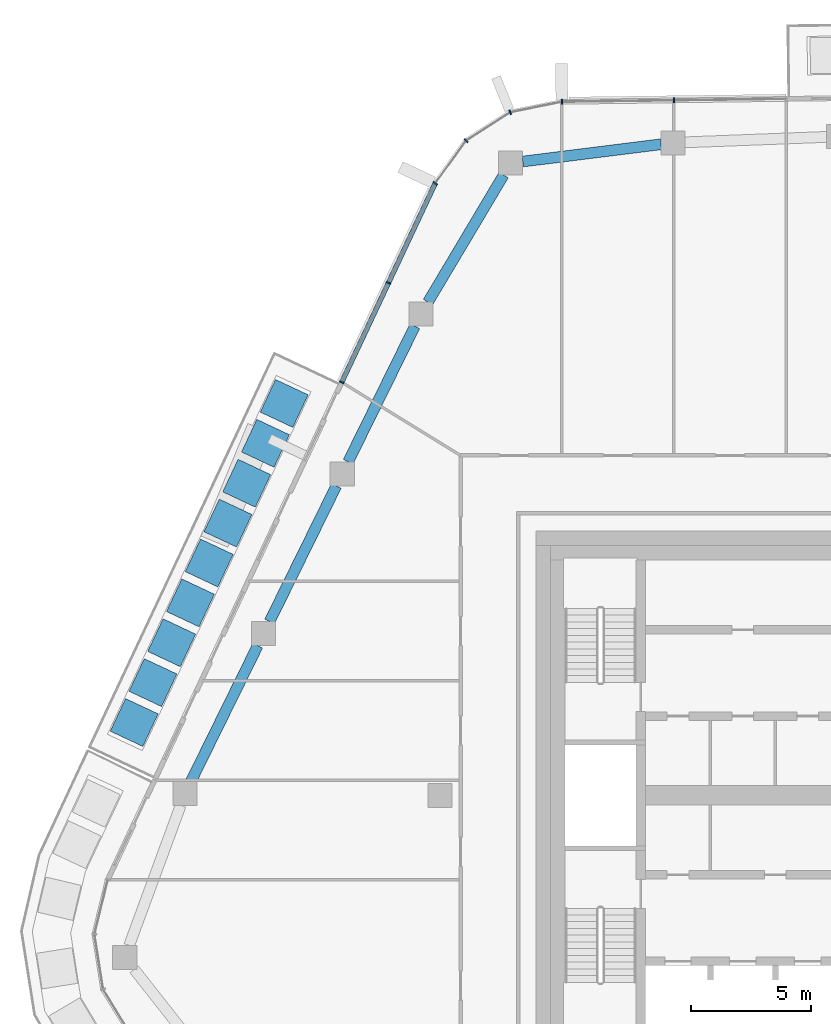
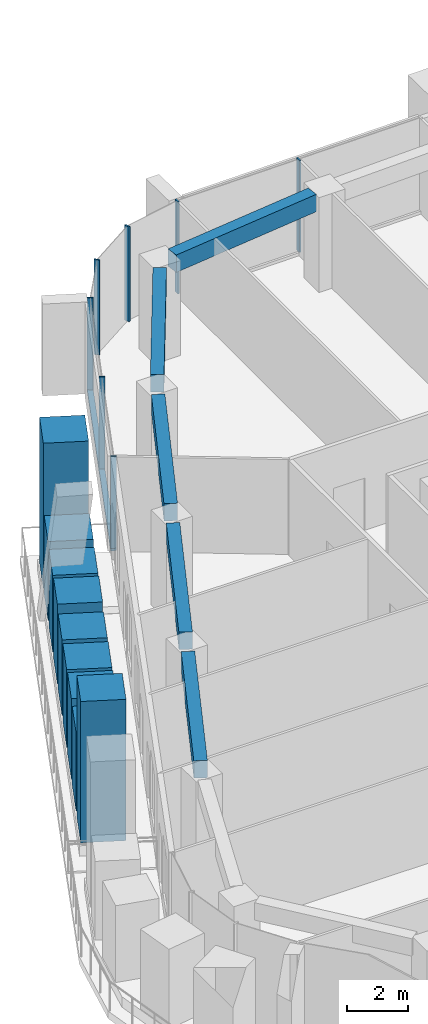
# One storey, part 6 of 23: 17 members, 5 beams, 3 elements without a shape of their own.
"""IFC4 building model written with IfcOpenShell, lengths in metres."""

import ifcopenshell
import ifcopenshell.guid

model = None  # the IFC model being written
_history = None  # IfcOwnerHistory: only IFC2X3 demands one
_inside = {}  # id of a spatial element -> (the spatial element, [elements in it])
_under = {}  # id of a project, library or spatial element -> (it, [spatial elements below it])
_declared = {}  # id of a project -> (the project, [libraries it declares])
_typed = {}  # id of a type object -> (the type object, [elements of that type])
_made_of = {}  # id of a material, layer set ... -> (it, [elements and type objects made of it])


def new_model(schema):
    """Start an empty IFC model of exactly this schema.

    Asked for "IFC4X3", IfcOpenShell would pick the latest addendum, in which some entities
    have other attributes; the version numbers below select the first issue.
    IFC2X3 requires an IfcOwnerHistory on every rooted entity: one is made here for all.
    """
    global model, _history
    if schema == "IFC4X3":
        model = ifcopenshell.file(schema_version=(4, 3, 0, 0))
    else:
        model = ifcopenshell.file(schema=schema)
    _inside.clear()
    _under.clear()
    _declared.clear()
    _typed.clear()
    _made_of.clear()
    _history = None
    if model.schema == "IFC2X3":
        org = make("IfcOrganization", Name="unknown")
        user = make(
            "IfcPersonAndOrganization",
            ThePerson=make("IfcPerson", FamilyName="unknown"),
            TheOrganization=org,
        )
        app = make(
            "IfcApplication",
            ApplicationDeveloper=org,
            Version="unknown",
            ApplicationFullName="unknown",
            ApplicationIdentifier="unknown",
        )
        _history = make(
            "IfcOwnerHistory",
            OwningUser=user,
            OwningApplication=app,
            ChangeAction="ADDED",
            CreationDate=0,
        )
    return model


def make(cls, **values):
    """One entity of the class cls with the attributes given. An attribute that is None is left unset."""
    return model.create_entity(
        cls, **{name: value for name, value in values.items() if value is not None}
    )


def rooted(cls, **values):
    """An entity with a GlobalId (a new one), such as an element, a storey or a relation."""
    return make(cls, GlobalId=ifcopenshell.guid.new(), OwnerHistory=_history, **values)


def si_unit(unit_type, name, prefix=None):
    """IfcSIUnit, for example si_unit("LENGTHUNIT", "METRE", prefix="MILLI")."""
    return make("IfcSIUnit", UnitType=unit_type, Prefix=prefix, Name=name)


def assignment(units):
    """IfcUnitAssignment: the units of a project."""
    return None if units is None else make("IfcUnitAssignment", Units=units)


def point(xyz):
    """IfcCartesianPoint."""
    return None if xyz is None else make("IfcCartesianPoint", Coordinates=xyz)


def direction(xyz):
    """IfcDirection."""
    return None if xyz is None else make("IfcDirection", DirectionRatios=xyz)


def frame(location, z_axis=None, x_axis=None):
    """IfcAxis2Placement3D, a coordinate frame: its origin and axes. An axis left out is left unset."""
    return make(
        "IfcAxis2Placement3D",
        Location=point(location),
        Axis=direction(z_axis),
        RefDirection=direction(x_axis),
    )


def frame_2d(location, x_axis=None):
    """IfcAxis2Placement2D, a coordinate frame in the plane: its origin and x axis."""
    return make(
        "IfcAxis2Placement2D", Location=point(location), RefDirection=direction(x_axis)
    )


def origin():
    """The frame at (0, 0, 0) with its axes left unset."""
    return frame((0.0, 0.0, 0.0))


def origin_2d():
    """The frame at (0, 0) in the plane with its x axis left unset."""
    return frame_2d((0.0, 0.0))


def place(relative_to, where):
    """IfcLocalPlacement: puts the frame where relative to a parent placement (None: the world)."""
    return make(
        "IfcLocalPlacement", PlacementRelTo=relative_to, RelativePlacement=where
    )


def context(
    kind, dimensions, precision=None, world=None, true_north=None, identifier=None
):
    """IfcGeometricRepresentationContext, for example the 3D "Model" context."""
    return make(
        "IfcGeometricRepresentationContext",
        ContextIdentifier=identifier,
        ContextType=kind,
        CoordinateSpaceDimension=dimensions,
        Precision=precision,
        WorldCoordinateSystem=world,
        TrueNorth=true_north,
    )


def subcontext(parent, identifier, kind, view, scale=None):
    """IfcGeometricRepresentationSubContext, for example "Body" below "Model"."""
    return make(
        "IfcGeometricRepresentationSubContext",
        ContextIdentifier=identifier,
        ContextType=kind,
        ParentContext=parent,
        TargetScale=scale,
        TargetView=view,
    )


def project(units=None, contexts=None):
    """IfcProject with its units and contexts."""
    return rooted(
        "IfcProject",
        Name="project",
        RepresentationContexts=contexts,
        UnitsInContext=assignment(units),
    )


def spatial(cls, under=None, at=None, **own):
    """A site, building, storey or space (cls), placed at a placement, below another one or the project."""
    s = rooted(cls, ObjectPlacement=at, **own)
    if under is not None:
        _under.setdefault(under.id(), (under, []))[1].append(s)
    return s


def profile(cls, at=None, kind="AREA", **sizes):
    """A parametric profile (cls). Its sizes go by their IFC names, for example OverallWidth=200.0."""
    return make(cls, ProfileType=kind, Position=at, **sizes)


def rectangle(**sizes):
    """IfcRectangleProfileDef."""
    return profile("IfcRectangleProfileDef", **sizes)


def extrude(swept, where, along, depth):
    """IfcExtrudedAreaSolid: the profile swept, set in the frame where, extruded along a direction by depth."""
    return make(
        "IfcExtrudedAreaSolid",
        SweptArea=swept,
        Position=where,
        ExtrudedDirection=direction(along),
        Depth=depth,
    )


def shape(context_of_items, identifier, shape_type, items):
    """IfcShapeRepresentation: the items that make up one representation, for example the "Body"."""
    return make(
        "IfcShapeRepresentation",
        ContextOfItems=context_of_items,
        RepresentationIdentifier=identifier,
        RepresentationType=shape_type,
        Items=items,
    )


def material(Name=None, Category=None):
    """IfcMaterial."""
    return make("IfcMaterial", Name=Name, Category=Category)


def layer(
    of_material, thickness, ventilated=None, Name=None, Category=None, Priority=None
):
    """IfcMaterialLayer: one layer of a wall or slab, of a material (None: an air gap)."""
    return make(
        "IfcMaterialLayer",
        Material=of_material,
        LayerThickness=thickness,
        IsVentilated=ventilated,
        Name=Name,
        Category=Category,
        Priority=Priority,
    )


def layer_set(layers, Name=None):
    """IfcMaterialLayerSet."""
    return make("IfcMaterialLayerSet", MaterialLayers=layers, LayerSetName=Name)


def material_profile(
    of_material, cross_section, Name=None, Category=None, Priority=None
):
    """IfcMaterialProfile: a cross section and its material."""
    return make(
        "IfcMaterialProfile",
        Name=Name,
        Material=of_material,
        Profile=cross_section,
        Priority=Priority,
        Category=Category,
    )


def profile_set(profiles, Name=None, composite=None):
    """IfcMaterialProfileSet."""
    return make(
        "IfcMaterialProfileSet",
        Name=Name,
        MaterialProfiles=profiles,
        CompositeProfile=composite,
    )


def made_of(thing, what):
    """Note that an element or type object is made of a material, layer set ...; save() writes the relation."""
    if what is not None:
        _made_of.setdefault(what.id(), (what, []))[1].append(thing)
    return thing


def type_object(cls, material=None, **own):
    """A type object (cls), such as IfcWallType, which elements share."""
    return made_of(rooted(cls, **own), material)


def element(
    cls,
    number,
    at=None,
    inside=None,
    cuts=None,
    type_object=None,
    material=None,
    context=None,
    identifier="Body",
    shape_type=None,
    held_by="IfcProductDefinitionShape",
    body=None,
    shapes=None,
    **own,
):
    """One element of the class cls, such as IfcWall. Its Tag is "e" and its number.

    at: its placement. inside: the storey or other place that contains it. cuts: it is an
    opening in that element (IfcRelVoidsElement). A single representation is given by context,
    identifier, shape_type and body (its items); several are given by shapes. held_by: the class
    of the entity that holds the representations. save() writes the other relations.
    """
    e = rooted(cls, Tag="e%d" % number, ObjectPlacement=at, **own)
    if body is not None:
        shapes = [shape(context, identifier, shape_type, body)]
    if shapes is not None:
        e.Representation = make(held_by, Representations=shapes)
    if inside is not None:
        _inside.setdefault(inside.id(), (inside, []))[1].append(e)
    if cuts is not None:
        rooted(
            "IfcRelVoidsElement", RelatingBuildingElement=cuts, RelatedOpeningElement=e
        )
    if type_object is not None:
        _typed.setdefault(type_object.id(), (type_object, []))[1].append(e)
    return made_of(e, material)


def aggregate(whole, parts):
    """IfcRelAggregates: a whole, such as a stair, and the parts it consists of."""
    return rooted("IfcRelAggregates", RelatingObject=whole, RelatedObjects=parts)


def save(model, path):
    """Write the relations noted so far, then the file.

    IfcRelAggregates (storeys below a building ...), IfcRelContainedInSpatialStructure (elements
    in a storey), IfcRelDefinesByType, IfcRelAssociatesMaterial and IfcRelDeclares: one each for
    every whole, place, type object, material and project.
    """
    for whole, parts in _under.values():
        aggregate(whole, parts)
    for where, things in _inside.values():
        rooted(
            "IfcRelContainedInSpatialStructure",
            RelatedElements=things,
            RelatingStructure=where,
        )
    for kind, things in _typed.values():
        rooted("IfcRelDefinesByType", RelatedObjects=things, RelatingType=kind)
    for what, things in _made_of.values():
        rooted("IfcRelAssociatesMaterial", RelatedObjects=things, RelatingMaterial=what)
    for by, libraries in _declared.values():
        rooted("IfcRelDeclares", RelatingContext=by, RelatedDefinitions=libraries)
    model.write(path)


model = new_model("IFC4")

# Units and contexts
model_context = context("Model", 3, precision=1e-05, world=origin(), true_north=direction((0.0, 1.0)))
body_context = subcontext(model_context, "Body", "Model", "MODEL_VIEW")
ifc_project = project(units=[si_unit("LENGTHUNIT", "METRE"), si_unit("AREAUNIT", "SQUARE_METRE"), si_unit("VOLUMEUNIT", "CUBIC_METRE"), si_unit("PLANEANGLEUNIT", "RADIAN"), si_unit("MASSUNIT", "GRAM", prefix="KILO")], contexts=[model_context])

# Site, building, storey
site_placement = place(None, origin())
site = spatial("IfcSite", under=ifc_project, at=site_placement, CompositionType="ELEMENT")
building_placement = place(site_placement, origin())
building = spatial("IfcBuilding", under=site, at=building_placement, Name="Dongbaek Canopy Tower", CompositionType="ELEMENT")
storey_placement = place(building_placement, frame((0.0, 0.0, 340.39990234375)))
storey = spatial("IfcBuildingStorey", under=building, at=storey_placement, Name="L73", CompositionType="ELEMENT", Elevation=340.39990234375)

# Curtain wall, members
ifc_material_1 = material(Name="Aluminium 6063-T6 pale anodised", Category="aluminium")
ifc_layer = layer(ifc_material_1, 0.199951171875)
ifc_layer_set = layer_set([ifc_layer], Name="CW-1 unitised tower curtain wall")
curtain_wall_type = type_object("IfcCurtainWallType", Name="CW-1 unitised tower curtain wall", PredefinedType="NOTDEFINED", material=ifc_layer_set)
curtain_wall_1_placement = place(storey_placement, origin())
curtain_wall_1 = element("IfcCurtainWall", 1, at=curtain_wall_1_placement, inside=storey, type_object=curtain_wall_type, Name="CW-1 curtain wall F1.1", PredefinedType="NOTDEFINED")
ifc_material_2 = material(Name="Aluminium 6063-T6 pale anodised", Category="aluminium")
ifc_material_profile_1 = material_profile(ifc_material_2, rectangle(XDim=0.199951171875, YDim=0.06005859375, at=origin_2d()), Name="CW-1 mullion 60 x 200")
ifc_profile_set_1 = profile_set([ifc_material_profile_1], Name="Aluminium 6063-T6 pale anodised")
member_type_1 = type_object("IfcMemberType", Name="CW-1 mullion 60 x 200", PredefinedType="MULLION", material=ifc_profile_set_1)
member_1_placement = place(storey_placement, frame((-8.267578125, 28.930419921875, 0.1201171875), z_axis=(0.0, 0.0, 1.0), x_axis=(-0.013165315653, 0.999913333476, 0.0)))
member_1 = element("IfcMember", 2, at=member_1_placement, type_object=member_type_1, Name="CW-1 mullion F1.1.2", PredefinedType="MULLION", context=body_context, shape_type="SweptSolid", body=[
    extrude(rectangle(XDim=0.199951171875, YDim=0.06005859375, at=origin_2d()), origin(), (0.0, 0.0, 1.0), 3.699951171875),
])
member_2_placement = place(storey_placement, frame((-12.932373046875, 28.868896484375, 0.1201171875), z_axis=(0.0, 0.0, 1.0), x_axis=(-0.013165315653, 0.999913333476, 0.0)))
member_2 = element("IfcMember", 3, at=member_2_placement, type_object=member_type_1, Name="CW-1 mullion F1.1.3", PredefinedType="MULLION", context=body_context, shape_type="SweptSolid", body=[
    extrude(rectangle(XDim=0.199951171875, YDim=0.06005859375, at=origin_2d()), origin(), (0.0, 0.0, 1.0), 3.699951171875),
])
aggregate(curtain_wall_1, [member_1, member_2])

curtain_wall_2_placement = place(storey_placement, origin())
curtain_wall_2 = element("IfcCurtainWall", 4, at=curtain_wall_2_placement, inside=storey, type_object=curtain_wall_type, Name="CW-1 curtain wall K2.1", PredefinedType="NOTDEFINED")
member_3_placement = place(storey_placement, frame((-15.083984375, 28.433837890625, 0.0), z_axis=(0.0, 0.0, 1.0), x_axis=(-0.376366233723, 0.926470969925, 0.0)))
member_3 = element("IfcMember", 5, at=member_3_placement, type_object=member_type_1, Name="CW-1 mullion K2.1.2", PredefinedType="MULLION", context=body_context, shape_type="SweptSolid", body=[
    extrude(rectangle(XDim=0.199951171875, YDim=0.06005859375, at=origin_2d()), origin(), (0.0, 0.0, 1.0), 3.820068359375),
])
member_4_placement = place(storey_placement, frame((-16.92138671875, 27.25048828125, 0.0), z_axis=(0.0, 0.0, 1.0), x_axis=(-0.687888798164, 0.725816093346, 0.0)))
member_4 = element("IfcMember", 6, at=member_4_placement, type_object=member_type_1, Name="CW-1 mullion K2.1.3", PredefinedType="MULLION", context=body_context, shape_type="SweptSolid", body=[
    extrude(rectangle(XDim=0.199951171875, YDim=0.06005859375, at=origin_2d()), origin(), (0.0, 0.0, 1.0), 3.820068359375),
])
member_5_placement = place(storey_placement, frame((-18.207275390625, 25.471435546875, 0.0), z_axis=(0.0, 0.0, 1.0), x_axis=(-0.810455315225, 0.585800462636, 0.0)))
member_5 = element("IfcMember", 7, at=member_5_placement, type_object=member_type_1, Name="CW-1 mullion K2.1.4", PredefinedType="MULLION", context=body_context, shape_type="SweptSolid", body=[
    extrude(rectangle(XDim=0.199951171875, YDim=0.06005859375, at=origin_2d()), origin(), (0.0, 0.0, 1.0), 3.820068359375),
])
aggregate(curtain_wall_2, [member_3, member_4, member_5])

curtain_wall_3_placement = place(storey_placement, origin())
curtain_wall_3 = element("IfcCurtainWall", 8, at=curtain_wall_3_placement, inside=storey, type_object=curtain_wall_type, Name="CW-1 curtain wall F2.1", PredefinedType="NOTDEFINED")
member_6_placement = place(storey_placement, frame((-20.151123046875, 21.33740234375, 0.1201171875), z_axis=(0.0, 0.0, 1.0), x_axis=(-0.90495825448, 0.425500361514, 0.0)))
member_6 = element("IfcMember", 9, at=member_6_placement, type_object=member_type_1, Name="CW-1 mullion F2.1.2", PredefinedType="MULLION", context=body_context, shape_type="SweptSolid", body=[
    extrude(rectangle(XDim=0.199951171875, YDim=0.06005859375, at=origin_2d()), origin(), (0.0, 0.0, 1.0), 3.699951171875),
])
member_7_placement = place(storey_placement, frame((-22.098876953125, 17.195068359375, 0.1201171875), z_axis=(0.0, 0.0, 1.0), x_axis=(-0.90495825448, 0.425500361514, 0.0)))
member_7 = element("IfcMember", 10, at=member_7_placement, type_object=member_type_1, Name="CW-1 mullion F2.1.3", PredefinedType="MULLION", context=body_context, shape_type="SweptSolid", body=[
    extrude(rectangle(XDim=0.199951171875, YDim=0.06005859375, at=origin_2d()), origin(), (0.0, 0.0, 1.0), 3.699951171875),
])
ifc_material_3 = material(Name="Aluminium 6063-T6 pale anodised", Category="aluminium")
ifc_material_profile_2 = material_profile(ifc_material_3, rectangle(XDim=0.199951171875, YDim=0.1201171875, at=origin_2d()), Name="CW-1 transom 120 x 200")
ifc_profile_set_2 = profile_set([ifc_material_profile_2], Name="Aluminium 6063-T6 pale anodised")
member_type_2 = type_object("IfcMemberType", Name="CW-1 transom 120 x 200", PredefinedType="USERDEFINED", material=ifc_profile_set_2)
member_8_placement = place(storey_placement, frame((-18.207275390625, 25.471435546875, 0.06005859375), z_axis=(-0.425514187384, -0.904951753595, 0.0), x_axis=(0.904951753595, -0.425514187384, 0.0)))
member_8 = element("IfcMember", 11, at=member_8_placement, type_object=member_type_2, Name="CW-1 transom F2.1.1", ObjectType="TRANSOM", PredefinedType="USERDEFINED", context=body_context, shape_type="SweptSolid", body=[
    extrude(rectangle(XDim=0.199951171875, YDim=0.1201171875, at=origin_2d()), origin(), (0.0, 0.0, 1.0), 9.145751953125),
])
aggregate(curtain_wall_3, [member_6, member_7, member_8])

# Beams
ifc_material_4 = material(Name="Concrete C60", Category="concrete")
ifc_material_profile_3 = material_profile(ifc_material_4, rectangle(XDim=0.449951171875, YDim=0.699951171875, at=origin_2d()), Name="RC EDGE BEAM 450x700 C60")
ifc_profile_set_3 = profile_set([ifc_material_profile_3], Name="Concrete C60")
beam_type = type_object("IfcBeamType", Name="RC EDGE BEAM 450x700 C60", PredefinedType="BEAM", material=ifc_profile_set_3)
for number, where, z_axis, x_axis, name in (
    (12, (-28.37109375, 0.5859375, 3.47021484375), (0.441293546446, 0.897362806152, 0.0), (-0.897362806152, 0.441293546446, 0.0), "EDGEBEAM:L73:09"),
    (13, (-25.10107421875, 7.235107421875, 3.47021484375), (0.441433810223, 0.897293815421, 0.0), (-0.897293815421, 0.441433810223, 0.0), "EDGEBEAM:L73:10"),
):
    element("IfcBeam", number, at=place(storey_placement, frame(where, z_axis=z_axis, x_axis=x_axis)), inside=storey, type_object=beam_type, Name=name, PredefinedType="BEAM", context=body_context, shape_type="SweptSolid", body=[
        extrude(rectangle(XDim=0.449951171875, YDim=0.699951171875, at=origin_2d()), origin(), (0.0, 0.0, 1.0), 6.29541015625),
    ])
beam_1_placement = place(storey_placement, frame((-21.830078125, 13.884033203125, 3.47021484375), z_axis=(0.441370345445, 0.897325034846, 0.0), x_axis=(-0.897325034846, 0.441370345445, 0.0)))
element("IfcBeam", 14, at=beam_1_placement, inside=storey, type_object=beam_type, Name="EDGEBEAM:L73:11", PredefinedType="BEAM", context=body_context, shape_type="SweptSolid", body=[
    extrude(rectangle(XDim=0.449951171875, YDim=0.699951171875, at=origin_2d()), origin(), (0.0, 0.0, 1.0), 6.294189453125),
])
beam_2_placement = place(storey_placement, frame((-18.50830078125, 20.531982421875, 3.47021484375), z_axis=(0.511535459107, 0.859262168419, 0.0), x_axis=(-0.859262168419, 0.511535459107, 0.0)))
element("IfcBeam", 15, at=beam_2_placement, inside=storey, type_object=beam_type, Name="EDGEBEAM:L73:12", PredefinedType="BEAM", context=body_context, shape_type="SweptSolid", body=[
    extrude(rectangle(XDim=0.449951171875, YDim=0.699951171875, at=origin_2d()), origin(), (0.0, 0.0, 1.0), 6.1552734375),
])
beam_3_placement = place(storey_placement, frame((-14.56201171875, 26.38330078125, 3.47021484375), z_axis=(0.992296006086, 0.123889613389, 0.0), x_axis=(-0.123889613389, 0.992296006086, 0.0)))
element("IfcBeam", 16, at=beam_3_placement, inside=storey, type_object=beam_type, Name="EDGEBEAM:L73:13", PredefinedType="BEAM", context=body_context, shape_type="SweptSolid", body=[
    extrude(rectangle(XDim=0.449951171875, YDim=0.699951171875, at=origin_2d()), origin(), (0.0, 0.0, 1.0), 5.797607421875),
])

# Members
ifc_material_5 = material(Name="Concrete C40/50 planter mass with planting", Category="concrete")
ifc_material_profile_4 = material_profile(ifc_material_5, rectangle(XDim=1.5, YDim=1.5, at=origin_2d()), Name="Terrace PLANTER shrub mass 1500 x 1500")
ifc_profile_set_4 = profile_set([ifc_material_profile_4], Name="Concrete C40/50 planter mass with planting")
member_type_3 = type_object("IfcMemberType", Name="Terrace PLANTER shrub mass 1500 x 1500", PredefinedType="USERDEFINED", material=ifc_profile_set_4)
member_9_placement = place(storey_placement, frame((-24.491943359375, 16.312255859375, 0.420166015625), z_axis=(0.0, 0.0, 1.0), x_axis=(-0.90495825448, 0.425500361514, 0.0)))
element("IfcMember", 17, at=member_9_placement, inside=storey, type_object=member_type_3, Name="Planter tree L73 3.1", ObjectType="PLANTER", PredefinedType="USERDEFINED", context=body_context, shape_type="SweptSolid", body=[
    extrude(rectangle(XDim=1.5, YDim=1.5, at=origin_2d()), origin(), (0.0, 0.0, 1.0), 5.849853515625),
])
member_10_placement = place(storey_placement, frame((-25.2724609375, 14.65234375, 0.420166015625), z_axis=(0.0, 0.0, 1.0), x_axis=(-0.90495825448, 0.425500361514, 0.0)))
element("IfcMember", 18, at=member_10_placement, inside=storey, type_object=member_type_3, Name="Planter shrubs L73 3.2", ObjectType="PLANTER", PredefinedType="USERDEFINED", context=body_context, shape_type="SweptSolid", body=[
    extrude(rectangle(XDim=1.5, YDim=1.5, at=origin_2d()), origin(), (0.0, 0.0, 1.0), 3.169921875),
])
member_11_placement = place(storey_placement, frame((-26.052978515625, 12.9921875, 0.420166015625), z_axis=(0.0, 0.0, 1.0), x_axis=(-0.90495825448, 0.425500361514, 0.0)))
element("IfcMember", 19, at=member_11_placement, inside=storey, type_object=member_type_3, Name="Planter shrubs L73 3.3", ObjectType="PLANTER", PredefinedType="USERDEFINED", context=body_context, shape_type="SweptSolid", body=[
    extrude(rectangle(XDim=1.5, YDim=1.5, at=origin_2d()), origin(), (0.0, 0.0, 1.0), 3.08984375),
])
member_12_placement = place(storey_placement, frame((-26.83349609375, 11.332275390625, 0.420166015625), z_axis=(0.0, 0.0, 1.0), x_axis=(-0.90495825448, 0.425500361514, 0.0)))
element("IfcMember", 20, at=member_12_placement, inside=storey, type_object=member_type_3, Name="Planter shrubs L73 3.4", ObjectType="PLANTER", PredefinedType="USERDEFINED", context=body_context, shape_type="SweptSolid", body=[
    extrude(rectangle(XDim=1.5, YDim=1.5, at=origin_2d()), origin(), (0.0, 0.0, 1.0), 3.2099609375),
])
member_13_placement = place(storey_placement, frame((-27.614013671875, 9.672119140625, 0.420166015625), z_axis=(0.0, 0.0, 1.0), x_axis=(-0.90495825448, 0.425500361514, 0.0)))
element("IfcMember", 21, at=member_13_placement, inside=storey, type_object=member_type_3, Name="Planter shrubs L73 3.5", ObjectType="PLANTER", PredefinedType="USERDEFINED", context=body_context, shape_type="SweptSolid", body=[
    extrude(rectangle(XDim=1.5, YDim=1.5, at=origin_2d()), origin(), (0.0, 0.0, 1.0), 3.050048828125),
])
member_14_placement = place(storey_placement, frame((-28.39453125, 8.01220703125, 0.420166015625), z_axis=(0.0, 0.0, 1.0), x_axis=(-0.90495825448, 0.425500361514, 0.0)))
element("IfcMember", 22, at=member_14_placement, inside=storey, type_object=member_type_3, Name="Planter shrubs L73 3.6", ObjectType="PLANTER", PredefinedType="USERDEFINED", context=body_context, shape_type="SweptSolid", body=[
    extrude(rectangle(XDim=1.5, YDim=1.5, at=origin_2d()), origin(), (0.0, 0.0, 1.0), 3.1298828125),
])
member_15_placement = place(storey_placement, frame((-29.175048828125, 6.35205078125, 0.420166015625), z_axis=(0.0, 0.0, 1.0), x_axis=(-0.90495825448, 0.425500361514, 0.0)))
element("IfcMember", 23, at=member_15_placement, inside=storey, type_object=member_type_3, Name="Planter shrubs L73 3.7", ObjectType="PLANTER", PredefinedType="USERDEFINED", context=body_context, shape_type="SweptSolid", body=[
    extrude(rectangle(XDim=1.5, YDim=1.5, at=origin_2d()), origin(), (0.0, 0.0, 1.0), 3.25),
])
member_16_placement = place(storey_placement, frame((-29.95556640625, 4.692138671875, 0.420166015625), z_axis=(0.0, 0.0, 1.0), x_axis=(-0.90495825448, 0.425500361514, 0.0)))
element("IfcMember", 24, at=member_16_placement, inside=storey, type_object=member_type_3, Name="Planter shrubs L73 3.8", ObjectType="PLANTER", PredefinedType="USERDEFINED", context=body_context, shape_type="SweptSolid", body=[
    extrude(rectangle(XDim=1.5, YDim=1.5, at=origin_2d()), origin(), (0.0, 0.0, 1.0), 3.169921875),
])
member_17_placement = place(storey_placement, frame((-30.736083984375, 3.031982421875, 0.420166015625), z_axis=(0.0, 0.0, 1.0), x_axis=(-0.90495825448, 0.425500361514, 0.0)))
element("IfcMember", 25, at=member_17_placement, inside=storey, type_object=member_type_3, Name="Planter tree L73 3.9", ObjectType="PLANTER", PredefinedType="USERDEFINED", context=body_context, shape_type="SweptSolid", body=[
    extrude(rectangle(XDim=1.5, YDim=1.5, at=origin_2d()), origin(), (0.0, 0.0, 1.0), 5.68994140625),
])

save(model, "model.ifc")
